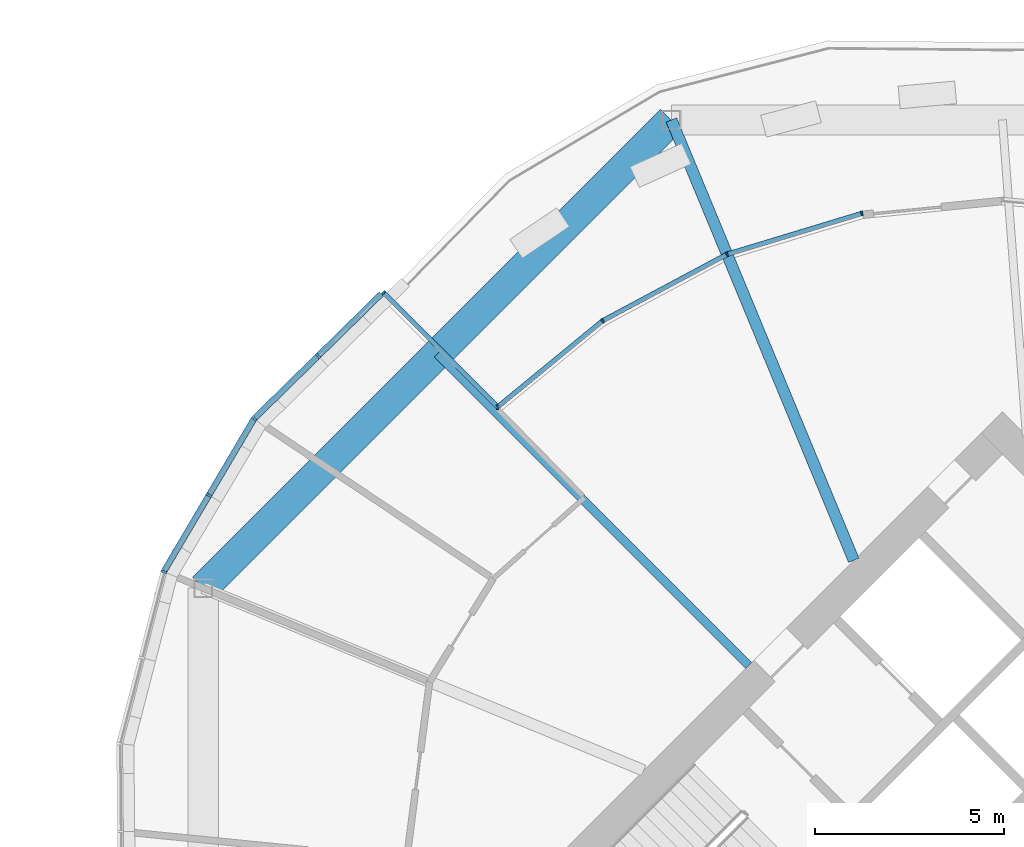
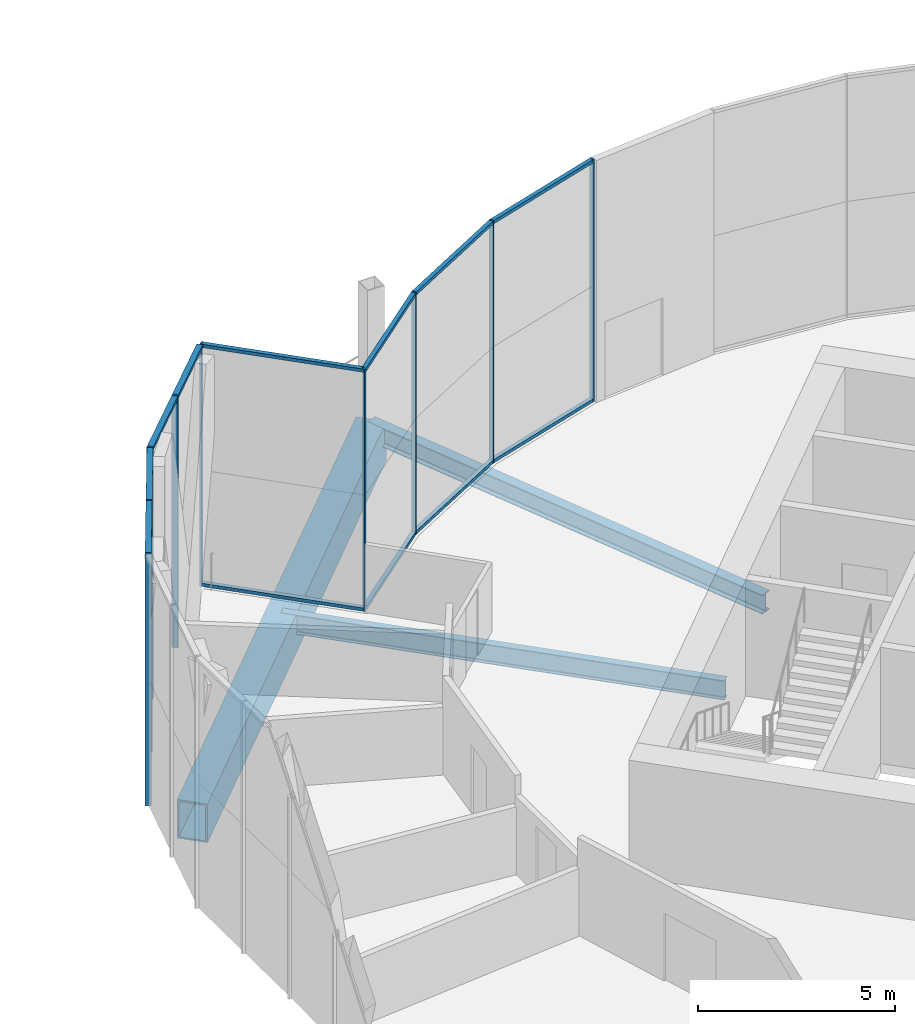
# One storey, part 15 of 31: 21 members, 3 beams, 2 elements without a shape of their own.
"""IFC4 building model written with IfcOpenShell, lengths in metres."""

from ifc_helpers import new_model, si_unit, direction, frame, origin, origin_2d, place, context, subcontext, project, spatial, rectangle, hollow_rectangle, i_section, extrude, material, material_profile, profile_set, type_object, element, aggregate, save


model = new_model("IFC4")

# Units and contexts
model_context = context("Model", 3, precision=1e-05, world=origin(), true_north=direction((0.0, 1.0)))
body_context = subcontext(model_context, "Body", "Model", "MODEL_VIEW")
ifc_project = project(units=[si_unit("LENGTHUNIT", "METRE"), si_unit("AREAUNIT", "SQUARE_METRE"), si_unit("VOLUMEUNIT", "CUBIC_METRE"), si_unit("PLANEANGLEUNIT", "RADIAN"), si_unit("MASSUNIT", "GRAM", prefix="KILO")], contexts=[model_context])

# Site, building, storey
site_placement = place(None, origin())
site = spatial("IfcSite", under=ifc_project, at=site_placement, CompositionType="ELEMENT")
building_placement = place(site_placement, origin())
building = spatial("IfcBuilding", under=site, at=building_placement, Name="Ogive Gate Towers", CompositionType="ELEMENT")
storey_placement = place(building_placement, frame((0.0, 0.0, 63.60009765625)))
storey = spatial("IfcBuildingStorey", under=building, at=storey_placement, Name="L14", CompositionType="ELEMENT", Elevation=63.60009765625)

# Beams
ifc_material_1 = material(Name="Steel SM460", Category="steel")
ifc_material_profile_1 = material_profile(ifc_material_1, hollow_rectangle(XDim=0.800048828125, YDim=1.199951171875, WallThickness=0.050048828125, at=origin_2d()), Name="BX 1200x800x50")
ifc_profile_set_1 = profile_set([ifc_material_profile_1], Name="Steel SM460")
beam_type_1 = type_object("IfcBeamType", Name="Edge girder BX 1200x800x50", PredefinedType="BEAM", material=ifc_profile_set_1)
beam_1_placement = place(storey_placement, frame((27.236572265625, 21.15673828125, -0.900146484375), z_axis=(-0.707106781187, -0.707106781187, 0.0), x_axis=(0.707106781187, -0.707106781187, 0.0)))
element("IfcBeam", 1, at=beam_1_placement, inside=storey, type_object=beam_type_1, Name="T2/L14/SBM023", PredefinedType="BEAM", context=body_context, shape_type="SweptSolid", body=[
    extrude(hollow_rectangle(XDim=0.800048828125, YDim=1.199951171875, WallThickness=0.050048828125, at=origin_2d()), origin(), (0.0, 0.0, 1.0), 17.52685546875),
])
ifc_material_2 = material(Name="Steel SM355", Category="steel")
ifc_material_profile_2 = material_profile(ifc_material_2, i_section(OverallWidth=0.300048828125, OverallDepth=0.590087890625, WebThickness=0.012939453125, FlangeThickness=0.02490234375, FilletRadius=0.027099609375, at=origin_2d()), Name="HE 600 A")
ifc_profile_set_2 = profile_set([ifc_material_profile_2], Name="Steel SM355")
beam_type_2 = type_object("IfcBeamType", Name="Radial floor beam HE 600 A", PredefinedType="BEAM", material=ifc_profile_set_2)
beam_2_placement = place(storey_placement, frame((32.06494140625, 9.5, -0.59521484375), z_axis=(-0.382682759347, 0.923879811284, 0.0), x_axis=(-0.923879811284, -0.382682759347, 0.0)))
element("IfcBeam", 2, at=beam_2_placement, inside=storey, type_object=beam_type_2, Name="T2/L14/SBM013", PredefinedType="BEAM", context=body_context, shape_type="SweptSolid", body=[
    extrude(i_section(OverallWidth=0.300048828125, OverallDepth=0.590087890625, WebThickness=0.012939453125, FlangeThickness=0.02490234375, FilletRadius=0.027099609375, at=origin_2d()), origin(), (0.0, 0.0, 1.0), 12.6171875),
])
ifc_material_profile_3 = material_profile(ifc_material_2, i_section(OverallWidth=0.219970703125, OverallDepth=0.60009765625, WebThickness=0.011962890625, FlangeThickness=0.01904296875, FilletRadius=0.02392578125, at=origin_2d()), Name="IPE 600")
ifc_profile_set_3 = profile_set([ifc_material_profile_3], Name="Steel SM355")
beam_type_3 = type_object("IfcBeamType", Name="Radial floor beam IPE 600", PredefinedType="BEAM", material=ifc_profile_set_3)
beam_3_placement = place(storey_placement, frame((29.282470703125, 6.717529296875, -0.60009765625), z_axis=(-0.707106781187, 0.707106781187, 0.0), x_axis=(-0.707106781187, -0.707106781187, 0.0)))
element("IfcBeam", 3, at=beam_3_placement, inside=storey, type_object=beam_type_3, Name="T2/L14/SBM014", PredefinedType="BEAM", context=body_context, shape_type="SweptSolid", body=[
    extrude(i_section(OverallWidth=0.219970703125, OverallDepth=0.60009765625, WebThickness=0.011962890625, FlangeThickness=0.01904296875, FilletRadius=0.02392578125, at=origin_2d()), origin(), (0.0, 0.0, 1.0), 11.656982421875),
])

# Curtain wall, members
ifc_material_3 = material(Name="Pale metal aluminium", Category="aluminium")
curtain_wall_type_1 = type_object("IfcCurtainWallType", Name="Sky garden glazing", PredefinedType="NOTDEFINED", material=ifc_material_3)
curtain_wall_1_placement = place(storey_placement, origin())
curtain_wall_1 = element("IfcCurtainWall", 4, at=curtain_wall_1_placement, inside=storey, type_object=curtain_wall_type_1, Name="CW4 T2 ECW02", PredefinedType="NOTDEFINED")
ifc_material_profile_4 = material_profile(ifc_material_3, rectangle(XDim=0.1201171875, YDim=0.050048828125, at=origin_2d()), Name="50 x 120 aluminium box")
ifc_profile_set_4 = profile_set([ifc_material_profile_4], Name="Pale metal aluminium")
member_type_1 = type_object("IfcMemberType", Name="Sky garden glazing mullion 50 x 120", PredefinedType="MULLION", material=ifc_profile_set_4)
member_1_placement = place(storey_placement, frame((19.616943359375, 16.5810546875, 0.0), z_axis=(0.0, 0.0, 1.0), x_axis=(-0.707106781187, -0.707106781187, 0.0)))
member_1 = element("IfcMember", 5, at=member_1_placement, type_object=member_type_1, Name="CW4 mullion", PredefinedType="MULLION", context=body_context, shape_type="SweptSolid", body=[
    extrude(rectangle(XDim=0.1201171875, YDim=0.050048828125, at=origin_2d()), origin(), (0.0, 0.0, 1.0), 7.5),
])
member_2_placement = place(storey_placement, frame((22.63720703125, 13.546142578125, 0.0), z_axis=(0.0, 0.0, 1.0), x_axis=(-0.04907639046, -0.998795027971, 0.0)))
member_2 = element("IfcMember", 6, at=member_2_placement, type_object=member_type_1, Name="CW4 mullion", PredefinedType="MULLION", context=body_context, shape_type="SweptSolid", body=[
    extrude(rectangle(XDim=0.1201171875, YDim=0.050048828125, at=origin_2d()), origin(), (0.0, 0.0, 1.0), 7.5),
])
member_3_placement = place(storey_placement, frame((25.416015625, 15.83984375, 0.0), z_axis=(0.0, 0.0, 1.0), x_axis=(0.55557023302, -0.831469612303, 0.0)))
member_3 = element("IfcMember", 7, at=member_3_placement, type_object=member_type_1, Name="CW4 mullion", PredefinedType="MULLION", context=body_context, shape_type="SweptSolid", body=[
    extrude(rectangle(XDim=0.1201171875, YDim=0.050048828125, at=origin_2d()), origin(), (0.0, 0.0, 1.0), 7.5),
])
member_4_placement = place(storey_placement, frame((28.709716796875, 17.600341796875, 0.0), z_axis=(0.0, 0.0, 1.0), x_axis=(0.382683432365, -0.923879532511, 0.0)))
member_4 = element("IfcMember", 8, at=member_4_placement, type_object=member_type_1, Name="CW4 mullion", PredefinedType="MULLION", context=body_context, shape_type="SweptSolid", body=[
    extrude(rectangle(XDim=0.1201171875, YDim=0.050048828125, at=origin_2d()), origin(), (0.0, 0.0, 1.0), 7.5),
])
member_5_placement = place(storey_placement, frame((32.279541015625, 18.68359375, 0.0), z_axis=(0.0, 0.0, 1.0), x_axis=(0.290284677254, -0.956940335732, 0.0)))
member_5 = element("IfcMember", 9, at=member_5_placement, type_object=member_type_1, Name="CW4 mullion", PredefinedType="MULLION", context=body_context, shape_type="SweptSolid", body=[
    extrude(rectangle(XDim=0.1201171875, YDim=0.050048828125, at=origin_2d()), origin(), (0.0, 0.0, 1.0), 7.5),
])
ifc_material_profile_5 = material_profile(ifc_material_3, rectangle(XDim=0.1201171875, YDim=0.10009765625, at=origin_2d()), Name="100 x 120 aluminium box")
ifc_profile_set_5 = profile_set([ifc_material_profile_5], Name="Pale metal aluminium")
member_type_2 = type_object("IfcMemberType", Name="Sky garden glazing transom 100 x 120", PredefinedType="USERDEFINED", material=ifc_profile_set_5)
member_6_placement = place(storey_placement, frame((19.634765625, 16.563232421875, 7.449951171875), z_axis=(0.707106781187, -0.707106781187, 0.0), x_axis=(0.707106781187, 0.707106781187, 0.0)))
member_6 = element("IfcMember", 10, at=member_6_placement, type_object=member_type_2, Name="CW4 transom", ObjectType="TRANSOM", PredefinedType="USERDEFINED", context=body_context, shape_type="SweptSolid", body=[
    extrude(rectangle(XDim=0.1201171875, YDim=0.10009765625, at=origin_2d()), origin(), (0.0, 0.0, 1.0), 4.258056640625),
])
member_7_placement = place(storey_placement, frame((19.634765625, 16.563232421875, 0.0498046875), z_axis=(0.707106781187, -0.707106781187, 0.0), x_axis=(0.707106781187, 0.707106781187, 0.0)))
member_7 = element("IfcMember", 11, at=member_7_placement, type_object=member_type_2, Name="CW4 transom", ObjectType="TRANSOM", PredefinedType="USERDEFINED", context=body_context, shape_type="SweptSolid", body=[
    extrude(rectangle(XDim=0.1201171875, YDim=0.10009765625, at=origin_2d()), origin(), (0.0, 0.0, 1.0), 4.258056640625),
])
member_8_placement = place(storey_placement, frame((22.629150390625, 13.552978515625, 7.449951171875), z_axis=(0.772995252415, 0.63441180612, 0.0), x_axis=(-0.63441180612, 0.772995252415, 0.0)))
member_8 = element("IfcMember", 12, at=member_8_placement, type_object=member_type_2, Name="CW4 transom", ObjectType="TRANSOM", PredefinedType="USERDEFINED", context=body_context, shape_type="SweptSolid", body=[
    extrude(rectangle(XDim=0.1201171875, YDim=0.10009765625, at=origin_2d()), origin(), (0.0, 0.0, 1.0), 3.576171875),
])
member_9_placement = place(storey_placement, frame((22.629150390625, 13.552978515625, 0.0498046875), z_axis=(0.772995252415, 0.63441180612, 0.0), x_axis=(-0.63441180612, 0.772995252415, 0.0)))
member_9 = element("IfcMember", 13, at=member_9_placement, type_object=member_type_2, Name="CW4 transom", ObjectType="TRANSOM", PredefinedType="USERDEFINED", context=body_context, shape_type="SweptSolid", body=[
    extrude(rectangle(XDim=0.1201171875, YDim=0.10009765625, at=origin_2d()), origin(), (0.0, 0.0, 1.0), 3.576171875),
])
member_10_placement = place(storey_placement, frame((25.44140625, 15.853759765625, 7.449951171875), z_axis=(0.881931668673, 0.471377271187, 0.0), x_axis=(-0.471377271187, 0.881931668673, 0.0)))
member_10 = element("IfcMember", 14, at=member_10_placement, type_object=member_type_2, Name="CW4 transom", ObjectType="TRANSOM", PredefinedType="USERDEFINED", context=body_context, shape_type="SweptSolid", body=[
    extrude(rectangle(XDim=0.1201171875, YDim=0.10009765625, at=origin_2d()), origin(), (0.0, 0.0, 1.0), 3.6767578125),
])
member_11_placement = place(storey_placement, frame((25.44140625, 15.853759765625, 0.0498046875), z_axis=(0.881931668673, 0.471377271187, 0.0), x_axis=(-0.471377271187, 0.881931668673, 0.0)))
member_11 = element("IfcMember", 15, at=member_11_placement, type_object=member_type_2, Name="CW4 transom", ObjectType="TRANSOM", PredefinedType="USERDEFINED", context=body_context, shape_type="SweptSolid", body=[
    extrude(rectangle(XDim=0.1201171875, YDim=0.10009765625, at=origin_2d()), origin(), (0.0, 0.0, 1.0), 3.6767578125),
])
member_12_placement = place(storey_placement, frame((28.7373046875, 17.60888671875, 7.449951171875), z_axis=(0.956931648426, 0.290313313921, 0.0), x_axis=(-0.290313313921, 0.956931648426, 0.0)))
member_12 = element("IfcMember", 16, at=member_12_placement, type_object=member_type_2, Name="CW4 transom", ObjectType="TRANSOM", PredefinedType="USERDEFINED", context=body_context, shape_type="SweptSolid", body=[
    extrude(rectangle(XDim=0.1201171875, YDim=0.10009765625, at=origin_2d()), origin(), (0.0, 0.0, 1.0), 3.6767578125),
])
member_13_placement = place(storey_placement, frame((28.7373046875, 17.60888671875, 0.0498046875), z_axis=(0.956931648426, 0.290313313921, 0.0), x_axis=(-0.290313313921, 0.956931648426, 0.0)))
member_13 = element("IfcMember", 17, at=member_13_placement, type_object=member_type_2, Name="CW4 transom", ObjectType="TRANSOM", PredefinedType="USERDEFINED", context=body_context, shape_type="SweptSolid", body=[
    extrude(rectangle(XDim=0.1201171875, YDim=0.10009765625, at=origin_2d()), origin(), (0.0, 0.0, 1.0), 3.6767578125),
])
aggregate(curtain_wall_1, [member_1, member_2, member_6, member_7, member_3, member_8, member_9, member_4, member_10, member_11, member_5, member_12, member_13])

curtain_wall_type_2 = type_object("IfcCurtainWallType", Name="Tower unitised wall, low zone", PredefinedType="NOTDEFINED", material=ifc_material_3)
curtain_wall_2_placement = place(storey_placement, origin())
curtain_wall_2 = element("IfcCurtainWall", 18, at=curtain_wall_2_placement, inside=storey, type_object=curtain_wall_type_2, Name="CW1 T2 ECW05", PredefinedType="NOTDEFINED")
ifc_material_profile_6 = material_profile(ifc_material_3, rectangle(XDim=0.159912109375, YDim=0.06005859375, at=origin_2d()), Name="60 x 160 aluminium box")
ifc_profile_set_6 = profile_set([ifc_material_profile_6], Name="Pale metal aluminium")
member_type_3 = type_object("IfcMemberType", Name="Tower unitised wall, low zone mullion 60 x 160", PredefinedType="MULLION", material=ifc_profile_set_6)
member_14_placement = place(storey_placement, frame((13.798095703125, 9.1962890625, -0.300048828125), z_axis=(0.0, 0.0, 1.0), x_axis=(0.923879532511, -0.382683432365, 0.0)))
member_14 = element("IfcMember", 19, at=member_14_placement, type_object=member_type_3, Name="CW1 mullion", PredefinedType="MULLION", context=body_context, shape_type="SweptSolid", body=[
    extrude(rectangle(XDim=0.159912109375, YDim=0.06005859375, at=origin_2d()), origin(), (0.0, 0.0, 1.0), 7.800048828125),
])
member_15_placement = place(storey_placement, frame((14.994384765625, 11.221923828125, -0.300048828125), z_axis=(0.0, 0.0, 1.0), x_axis=(0.86103507103, -0.508545579527, 0.0)))
member_15 = element("IfcMember", 20, at=member_15_placement, type_object=member_type_3, Name="CW1 mullion", PredefinedType="MULLION", context=body_context, shape_type="SweptSolid", body=[
    extrude(rectangle(XDim=0.159912109375, YDim=0.06005859375, at=origin_2d()), origin(), (0.0, 0.0, 1.0), 7.800048828125),
])
member_16_placement = place(storey_placement, frame((16.190673828125, 13.2470703125, -0.300048828125), z_axis=(0.0, 0.0, 1.0), x_axis=(0.787376362057, -0.616472598316, 0.0)))
member_16 = element("IfcMember", 21, at=member_16_placement, type_object=member_type_3, Name="CW1 mullion", PredefinedType="MULLION", context=body_context, shape_type="SweptSolid", body=[
    extrude(rectangle(XDim=0.159912109375, YDim=0.06005859375, at=origin_2d()), origin(), (0.0, 0.0, 1.0), 7.800048828125),
])
member_17_placement = place(storey_placement, frame((17.883544921875, 14.907958984375, -0.300048828125), z_axis=(0.0, 0.0, 1.0), x_axis=(0.700286569056, -0.713861836212, 0.0)))
member_17 = element("IfcMember", 22, at=member_17_placement, type_object=member_type_3, Name="CW1 mullion", PredefinedType="MULLION", context=body_context, shape_type="SweptSolid", body=[
    extrude(rectangle(XDim=0.159912109375, YDim=0.06005859375, at=origin_2d()), origin(), (0.0, 0.0, 1.0), 7.800048828125),
])
ifc_material_profile_7 = material_profile(ifc_material_3, rectangle(XDim=0.159912109375, YDim=0.10009765625, at=origin_2d()), Name="100 x 160 aluminium box")
ifc_profile_set_7 = profile_set([ifc_material_profile_7], Name="Pale metal aluminium")
member_type_4 = type_object("IfcMemberType", Name="Tower unitised wall, low zone transom 100 x 160", PredefinedType="USERDEFINED", material=ifc_profile_set_7)
member_18_placement = place(storey_placement, frame((13.814697265625, 9.224609375, 7.449951171875), z_axis=(0.508524526508, 0.861047505043, 0.0), x_axis=(-0.861047505043, 0.508524526508, 0.0)))
member_18 = element("IfcMember", 23, at=member_18_placement, type_object=member_type_4, Name="CW1 transom", ObjectType="TRANSOM", PredefinedType="USERDEFINED", context=body_context, shape_type="SweptSolid", body=[
    extrude(rectangle(XDim=0.159912109375, YDim=0.10009765625, at=origin_2d()), origin(), (0.0, 0.0, 1.0), 2.28955078125),
])
member_19_placement = place(storey_placement, frame((15.009521484375, 11.247802734375, 7.449951171875), z_axis=(0.508571220017, 0.861019926697, 0.0), x_axis=(-0.861019926697, 0.508571220017, 0.0)))
member_19 = element("IfcMember", 24, at=member_19_placement, type_object=member_type_4, Name="CW1 transom", ObjectType="TRANSOM", PredefinedType="USERDEFINED", context=body_context, shape_type="SweptSolid", body=[
    extrude(rectangle(XDim=0.159912109375, YDim=0.10009765625, at=origin_2d()), origin(), (0.0, 0.0, 1.0), 2.289306640625),
])
member_20_placement = place(storey_placement, frame((16.2138671875, 13.27001953125, 7.449951171875), z_axis=(0.713893523363, 0.700254266178, 0.0), x_axis=(-0.700254266178, 0.713893523363, 0.0)))
member_20 = element("IfcMember", 25, at=member_20_placement, type_object=member_type_4, Name="CW1 transom", ObjectType="TRANSOM", PredefinedType="USERDEFINED", context=body_context, shape_type="SweptSolid", body=[
    extrude(rectangle(XDim=0.159912109375, YDim=0.10009765625, at=origin_2d()), origin(), (0.0, 0.0, 1.0), 2.30908203125),
])
member_21_placement = place(storey_placement, frame((17.905029296875, 14.928955078125, 7.449951171875), z_axis=(0.713841671817, 0.700307123751, 0.0), x_axis=(-0.700307123751, 0.713841671817, 0.0)))
member_21 = element("IfcMember", 26, at=member_21_placement, type_object=member_type_4, Name="CW1 transom", ObjectType="TRANSOM", PredefinedType="USERDEFINED", context=body_context, shape_type="SweptSolid", body=[
    extrude(rectangle(XDim=0.159912109375, YDim=0.10009765625, at=origin_2d()), origin(), (0.0, 0.0, 1.0), 2.308837890625),
])
aggregate(curtain_wall_2, [member_14, member_15, member_18, member_16, member_19, member_17, member_20, member_21])

save(model, "model.ifc")
